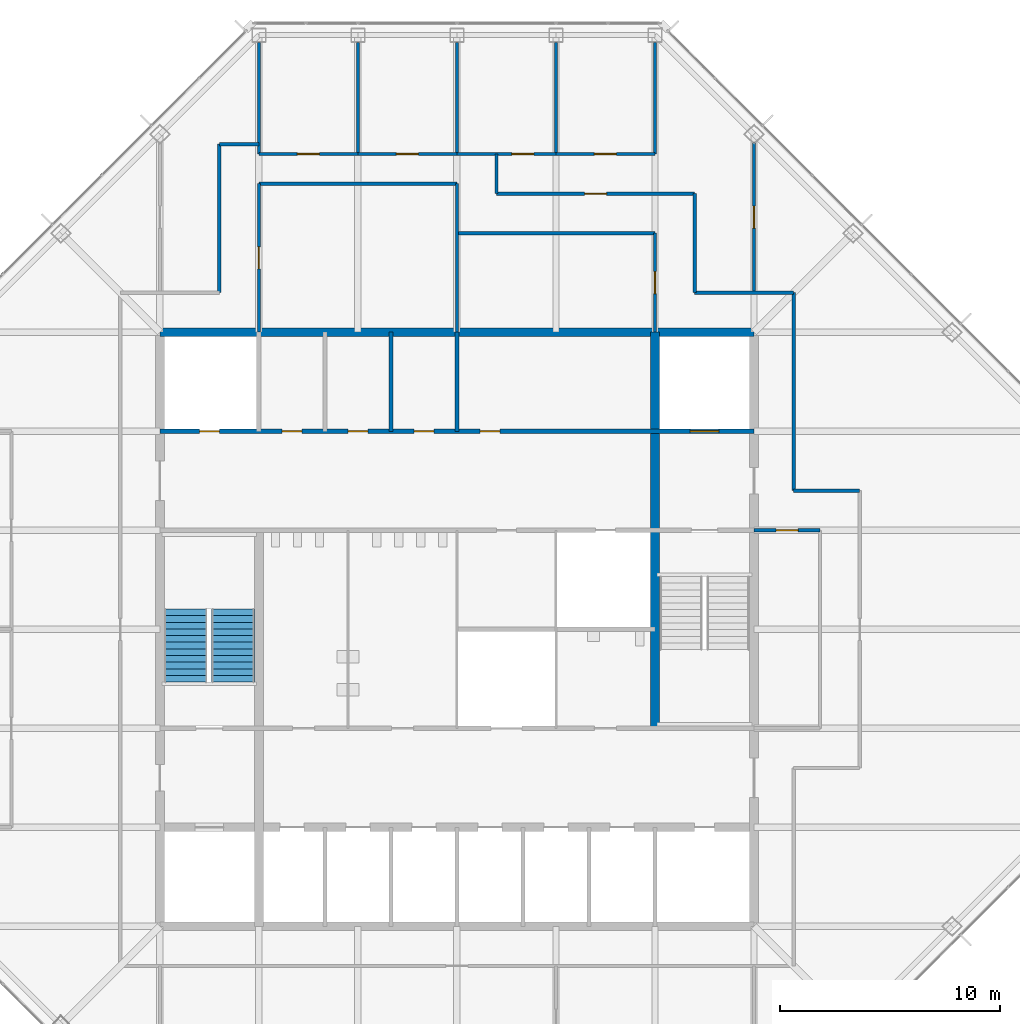
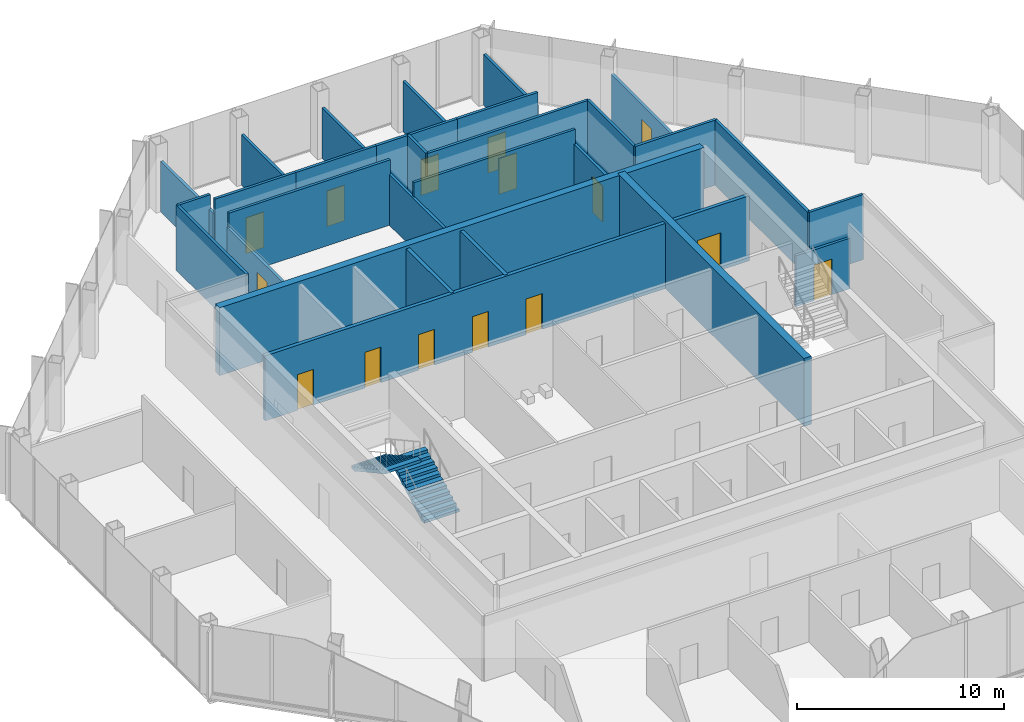
# One storey, part 11 of 14: 29 walls, 15 doors, 2 stair flights, 15 openings, 1 element without a shape of its own.
"""IFC4 building model written with IfcOpenShell, lengths in metres."""

from ifc_helpers import new_model, si_unit, direction, frame, frame_2d, origin, place, context, subcontext, project, spatial, polyline, rectangle, outline, extrude, material, layer, layer_set, type_object, element, fill, aggregate, save


model = new_model("IFC4")

# Units and contexts
model_context = context("Model", 3, precision=1e-05, world=origin(), true_north=direction((0.0, 1.0)))
body_context = subcontext(model_context, "Body", "Model", "MODEL_VIEW")
ifc_project = project(units=[si_unit("LENGTHUNIT", "METRE"), si_unit("AREAUNIT", "SQUARE_METRE"), si_unit("VOLUMEUNIT", "CUBIC_METRE"), si_unit("PLANEANGLEUNIT", "RADIAN"), si_unit("MASSUNIT", "GRAM", prefix="KILO")], contexts=[model_context])

# Site, building, storey
site_placement = place(None, origin())
site = spatial("IfcSite", under=ifc_project, at=site_placement, CompositionType="ELEMENT")
building_placement = place(site_placement, origin())
building = spatial("IfcBuilding", under=site, at=building_placement, Name="Corais Broadcast Tower", CompositionType="ELEMENT")
storey_placement = place(building_placement, frame((0.0, 0.0, 258.60009765625)))
storey = spatial("IfcBuildingStorey", under=building, at=storey_placement, Name="L60", CompositionType="ELEMENT", Elevation=258.60009765625)

# Walls
ifc_material_1 = material(Name="Concrete C50/60", Category="concrete")
ifc_layer_1 = layer(ifc_material_1, 0.39990234375)
ifc_layer_set_1 = layer_set([ifc_layer_1], Name="Concrete C50/60")
wall_type_1 = type_object("IfcWallType", Name="Core wall 400", PredefinedType="SHEAR", material=ifc_layer_set_1)
wall_1_placement = place(storey_placement, frame((40.5, 40.5, 0.0), z_axis=(0.0, 0.0, 1.0), x_axis=(-1.0, 0.0, 0.0)))
element("IfcWall", 1, at=wall_1_placement, inside=storey, type_object=wall_type_1, Name="CR400 core wall N L60", PredefinedType="SHEAR", context=body_context, shape_type="SweptSolid", body=[
    extrude(rectangle(XDim=27.0, YDim=0.39990234375, at=frame_2d((13.5, 0.0))), origin(), (0.0, 0.0, 1.0), 4.0),
])
wall_2_placement = place(storey_placement, frame((36.0, 22.5, 0.0), z_axis=(0.0, 0.0, 1.0), x_axis=(0.0, 1.0, 0.0)))
element("IfcWall", 2, at=wall_2_placement, inside=storey, type_object=wall_type_1, Name="CR400 core wall X36B L60", PredefinedType="SHEAR", context=body_context, shape_type="SweptSolid", body=[
    extrude(rectangle(XDim=18.0, YDim=0.39990234375, at=frame_2d((9.0, 0.0))), origin(), (0.0, 0.0, 1.0), 4.0),
])

# Wall, openings, doors
ifc_material_2 = material(Name="Concrete blockwork class A, grouted, four-hour", Category="masonry")
ifc_layer_2 = layer(ifc_material_2, 0.199951171875)
ifc_layer_set_2 = layer_set([ifc_layer_2], Name="Concrete blockwork class A, grouted, four-hour")
wall_type_2 = type_object("IfcWallType", Name="Emergency lift shaft wall 200", PredefinedType="SOLIDWALL", material=ifc_layer_set_2)
wall_3_placement = place(storey_placement, frame((13.5, 36.0, 0.0), z_axis=(0.0, 0.0, 1.0), x_axis=(1.0, 0.0, 0.0)))
wall_3 = element("IfcWall", 3, at=wall_3_placement, inside=storey, type_object=wall_type_2, Name="LS3 core lobby wall Y36 L60", PredefinedType="SOLIDWALL", context=body_context, shape_type="SweptSolid", body=[
    extrude(rectangle(XDim=27.0, YDim=0.199951171875, at=frame_2d((13.5, 0.0))), origin(), (0.0, 0.0, 1.0), 3.83984375),
])
opening_1_placement = place(wall_3_placement, frame((1.800048828125, 0.0, 0.0)))
opening_1 = element("IfcOpeningElement", 4, at=opening_1_placement, cuts=wall_3, Name="Opening RD1", PredefinedType="OPENING", context=body_context, shape_type="SweptSolid", body=[
    extrude(rectangle(XDim=0.89990234375, YDim=2.10009765625, at=frame_2d((0.449951171875, 1.050048828125))), frame((0.0, 0.10986328125, 0.0), z_axis=(0.0, -1.0, 0.0), x_axis=(1.0, 0.0, 0.0)), (0.0, 0.0, 1.0), 0.219970703125),
])
opening_2_placement = place(wall_3_placement, frame((5.550048828125, 0.0, 0.0)))
opening_2 = element("IfcOpeningElement", 5, at=opening_2_placement, cuts=wall_3, Name="Opening RD1", PredefinedType="OPENING", context=body_context, shape_type="SweptSolid", body=[
    extrude(rectangle(XDim=0.89990234375, YDim=2.10009765625, at=frame_2d((0.449951171875, 1.050048828125))), frame((0.0, 0.10986328125, 0.0), z_axis=(0.0, -1.0, 0.0), x_axis=(1.0, 0.0, 0.0)), (0.0, 0.0, 1.0), 0.219970703125),
])
opening_3_placement = place(wall_3_placement, frame((8.550048828125, 0.0, 0.0)))
opening_3 = element("IfcOpeningElement", 6, at=opening_3_placement, cuts=wall_3, Name="Opening RD1", PredefinedType="OPENING", context=body_context, shape_type="SweptSolid", body=[
    extrude(rectangle(XDim=0.89990234375, YDim=2.10009765625, at=frame_2d((0.449951171875, 1.050048828125))), frame((0.0, 0.10986328125, 0.0), z_axis=(0.0, -1.0, 0.0), x_axis=(1.0, 0.0, 0.0)), (0.0, 0.0, 1.0), 0.219970703125),
])
opening_4_placement = place(wall_3_placement, frame((11.550048828125, 0.0, 0.0)))
opening_4 = element("IfcOpeningElement", 7, at=opening_4_placement, cuts=wall_3, Name="Opening RD1", PredefinedType="OPENING", context=body_context, shape_type="SweptSolid", body=[
    extrude(rectangle(XDim=0.89990234375, YDim=2.10009765625, at=frame_2d((0.449951171875, 1.050048828125))), frame((0.0, 0.10986328125, 0.0), z_axis=(0.0, -1.0, 0.0), x_axis=(1.0, 0.0, 0.0)), (0.0, 0.0, 1.0), 0.219970703125),
])
opening_5_placement = place(wall_3_placement, frame((14.550048828125, 0.0, 0.0)))
opening_5 = element("IfcOpeningElement", 8, at=opening_5_placement, cuts=wall_3, Name="Opening RD1", PredefinedType="OPENING", context=body_context, shape_type="SweptSolid", body=[
    extrude(rectangle(XDim=0.89990234375, YDim=2.10009765625, at=frame_2d((0.449951171875, 1.050048828125))), frame((0.0, 0.10986328125, 0.0), z_axis=(0.0, -1.0, 0.0), x_axis=(1.0, 0.0, 0.0)), (0.0, 0.0, 1.0), 0.219970703125),
])
opening_6_placement = place(wall_3_placement, frame((24.10009765625, 0.0, 0.0)))
opening_6 = element("IfcOpeningElement", 9, at=opening_6_placement, cuts=wall_3, Name="Opening LD2", PredefinedType="OPENING", context=body_context, shape_type="SweptSolid", body=[
    extrude(rectangle(XDim=1.300048828125, YDim=2.199951171875, at=frame_2d((0.64990234375, 1.10009765625))), frame((0.0, 0.10986328125, 0.0), z_axis=(0.0, -1.0, 0.0), x_axis=(1.0, 0.0, 0.0)), (0.0, 0.0, 1.0), 0.219970703125),
])
ifc_material_3 = material(Name="Stainless steel lift door", Category="steel")
door_type_1 = type_object("IfcDoorType", Name="Lift landing door 1300x2200", OperationType="SLIDING_TO_LEFT", PredefinedType="DOOR", material=ifc_material_3)
door_1_placement = place(opening_6_placement, origin())
door_1 = element("IfcDoor", 10, at=door_1_placement, inside=storey, type_object=door_type_1, Name="LD2 FL2 landing door L60", OperationType="SLIDING_TO_LEFT", OverallHeight=2.199951171875, OverallWidth=1.300048828125, PredefinedType="DOOR", context=body_context, shape_type="SweptSolid", body=[
    extrude(rectangle(XDim=1.300048828125, YDim=2.199951171875, at=frame_2d((0.64990234375, 1.10009765625))), frame((0.0, 0.02490234375, 0.0), z_axis=(0.0, -1.0, 0.0), x_axis=(1.0, 0.0, 0.0)), (0.0, 0.0, 1.0), 0.050048828125),
])
fill(opening_6, door_1)
ifc_material_4 = material(Name="Steel fire door", Category="steel")
door_type_2 = type_object("IfcDoorType", Name="Riser door 900x2100", OperationType="SINGLE_SWING_LEFT", PredefinedType="DOOR", material=ifc_material_4)
door_2_placement = place(opening_1_placement, origin())
door_2 = element("IfcDoor", 11, at=door_2_placement, inside=storey, type_object=door_type_2, Name="RD1 riser door L60", OperationType="SINGLE_SWING_LEFT", OverallHeight=2.10009765625, OverallWidth=0.89990234375, PredefinedType="DOOR", context=body_context, shape_type="SweptSolid", body=[
    extrude(rectangle(XDim=0.89990234375, YDim=2.10009765625, at=frame_2d((0.449951171875, 1.050048828125))), frame((0.0, 0.02490234375, 0.0), z_axis=(0.0, -1.0, 0.0), x_axis=(1.0, 0.0, 0.0)), (0.0, 0.0, 1.0), 0.050048828125),
])
fill(opening_1, door_2)
door_3_placement = place(opening_2_placement, origin())
door_3 = element("IfcDoor", 12, at=door_3_placement, inside=storey, type_object=door_type_2, Name="RD1 media store door L60", OperationType="SINGLE_SWING_LEFT", OverallHeight=2.10009765625, OverallWidth=0.89990234375, PredefinedType="DOOR", context=body_context, shape_type="SweptSolid", body=[
    extrude(rectangle(XDim=0.89990234375, YDim=2.10009765625, at=frame_2d((0.449951171875, 1.050048828125))), frame((0.0, 0.02490234375, 0.0), z_axis=(0.0, -1.0, 0.0), x_axis=(1.0, 0.0, 0.0)), (0.0, 0.0, 1.0), 0.050048828125),
])
fill(opening_2, door_3)
door_4_placement = place(opening_3_placement, origin())
door_4 = element("IfcDoor", 13, at=door_4_placement, inside=storey, type_object=door_type_2, Name="RD1 tea point door L60", OperationType="SINGLE_SWING_LEFT", OverallHeight=2.10009765625, OverallWidth=0.89990234375, PredefinedType="DOOR", context=body_context, shape_type="SweptSolid", body=[
    extrude(rectangle(XDim=0.89990234375, YDim=2.10009765625, at=frame_2d((0.449951171875, 1.050048828125))), frame((0.0, 0.02490234375, 0.0), z_axis=(0.0, -1.0, 0.0), x_axis=(1.0, 0.0, 0.0)), (0.0, 0.0, 1.0), 0.050048828125),
])
fill(opening_3, door_4)
door_5_placement = place(opening_4_placement, origin())
door_5 = element("IfcDoor", 14, at=door_5_placement, inside=storey, type_object=door_type_2, Name="RD1 locker room door L60", OperationType="SINGLE_SWING_LEFT", OverallHeight=2.10009765625, OverallWidth=0.89990234375, PredefinedType="DOOR", context=body_context, shape_type="SweptSolid", body=[
    extrude(rectangle(XDim=0.89990234375, YDim=2.10009765625, at=frame_2d((0.449951171875, 1.050048828125))), frame((0.0, 0.02490234375, 0.0), z_axis=(0.0, -1.0, 0.0), x_axis=(1.0, 0.0, 0.0)), (0.0, 0.0, 1.0), 0.050048828125),
])
fill(opening_4, door_5)
door_6_placement = place(opening_5_placement, origin())
door_6 = element("IfcDoor", 15, at=door_6_placement, inside=storey, type_object=door_type_2, Name="RD1 print room door L60", OperationType="SINGLE_SWING_RIGHT", OverallHeight=2.10009765625, OverallWidth=0.89990234375, PredefinedType="DOOR", context=body_context, shape_type="SweptSolid", body=[
    extrude(rectangle(XDim=0.89990234375, YDim=2.10009765625, at=frame_2d((0.449951171875, 1.050048828125))), frame((0.0, 0.02490234375, 0.0), z_axis=(0.0, -1.0, 0.0), x_axis=(1.0, 0.0, 0.0)), (0.0, 0.0, 1.0), 0.050048828125),
])
fill(opening_5, door_6)

# Wall, opening, door
ifc_material_5 = material(Name="Gypsum board on steel studs", Category="steel")
ifc_layer_3 = layer(ifc_material_5, 0.14990234375)
ifc_layer_set_3 = layer_set([ifc_layer_3], Name="Gypsum board on steel studs")
wall_type_3 = type_object("IfcWallType", Name="Partition 150", PredefinedType="PARTITIONING", material=ifc_layer_set_3)
wall_4_placement = place(storey_placement, frame((37.800048828125, 46.800048828125, 0.0), z_axis=(0.0, 0.0, 1.0), x_axis=(-1.0, 0.0, 0.0)))
wall_4 = element("IfcWall", 16, at=wall_4_placement, inside=storey, type_object=wall_type_3, Name="IW3 corridor wall L60", PredefinedType="PARTITIONING", context=body_context, shape_type="SweptSolid", body=[
    extrude(rectangle(XDim=9.0, YDim=0.14990234375, at=frame_2d((4.5, 0.0))), origin(), (0.0, 0.0, 1.0), 3.83984375),
])
opening_7_placement = place(wall_4_placement, frame((4.0, 0.0, 0.0)))
opening_7 = element("IfcOpeningElement", 17, at=opening_7_placement, cuts=wall_4, Name="Opening D1", PredefinedType="OPENING", context=body_context, shape_type="SweptSolid", body=[
    extrude(rectangle(XDim=1.0, YDim=2.10009765625, at=frame_2d((0.5, 1.050048828125))), frame((0.0, 0.0849609375, 0.0), z_axis=(0.0, -1.0, 0.0), x_axis=(1.0, 0.0, 0.0)), (0.0, 0.0, 1.0), 0.169921875),
])
ifc_material_6 = material(Name="Timber door", Category="wood")
door_type_3 = type_object("IfcDoorType", Name="Single door 1000x2100", OperationType="SINGLE_SWING_LEFT", PredefinedType="DOOR", material=ifc_material_6)
door_7_placement = place(opening_7_placement, origin())
door_7 = element("IfcDoor", 18, at=door_7_placement, inside=storey, type_object=door_type_3, Name="D1 workplace door L60", OperationType="SINGLE_SWING_LEFT", OverallHeight=2.10009765625, OverallWidth=1.0, PredefinedType="DOOR", context=body_context, shape_type="SweptSolid", body=[
    extrude(rectangle(XDim=1.0, YDim=2.10009765625, at=frame_2d((0.5, 1.050048828125))), frame((0.0, 0.02490234375, 0.0), z_axis=(0.0, -1.0, 0.0), x_axis=(1.0, 0.0, 0.0)), (0.0, 0.0, 1.0), 0.050048828125),
])
fill(opening_7, door_7)

# Walls
wall_5_placement = place(storey_placement, frame((42.300048828125, 33.300048828125, 0.0), z_axis=(0.0, 0.0, 1.0), x_axis=(0.0, 1.0, 0.0)))
element("IfcWall", 19, at=wall_5_placement, inside=storey, type_object=wall_type_3, Name="IW3 corridor wall L60", PredefinedType="PARTITIONING", context=body_context, shape_type="SweptSolid", body=[
    extrude(rectangle(XDim=9.0, YDim=0.14990234375, at=frame_2d((4.5, 0.0))), origin(), (0.0, 0.0, 1.0), 3.83984375),
])
wall_6_placement = place(storey_placement, frame((16.199951171875, 49.050048828125, 0.0), z_axis=(0.0, 0.0, 1.0), x_axis=(0.0, -1.0, 0.0)))
element("IfcWall", 20, at=wall_6_placement, inside=storey, type_object=wall_type_3, Name="IW3 corridor wall L60", PredefinedType="PARTITIONING", context=body_context, shape_type="SweptSolid", body=[
    extrude(rectangle(XDim=6.75, YDim=0.14990234375, at=frame_2d((3.375, 0.0))), origin(), (0.0, 0.0, 1.0), 3.83984375),
])
for number, where, z_axis, x_axis, name in (
    (21, (37.800048828125, 42.300048828125, 0.0), (0.0, 0.0, 1.0), (0.0, 1.0, 0.0), "IW3 corridor wall L60"),
    (22, (42.300048828125, 42.300048828125, 0.0), (0.0, 0.0, 1.0), (-1.0, 0.0, 0.0), "IW3 corridor wall L60"),
):
    element("IfcWall", number, at=place(storey_placement, frame(where, z_axis=z_axis, x_axis=x_axis)), inside=storey, type_object=wall_type_3, Name=name, PredefinedType="PARTITIONING", context=body_context, shape_type="SweptSolid", body=[
        extrude(rectangle(XDim=4.5, YDim=0.14990234375, at=frame_2d((2.25, 0.0))), origin(), (0.0, 0.0, 1.0), 3.83984375),
    ])
wall_7_placement = place(storey_placement, frame((45.300048828125, 33.300048828125, 0.0), z_axis=(0.0, 0.0, 1.0), x_axis=(-1.0, 0.0, 0.0)))
element("IfcWall", 23, at=wall_7_placement, inside=storey, type_object=wall_type_3, Name="IW3 corridor wall L60", PredefinedType="PARTITIONING", context=body_context, shape_type="SweptSolid", body=[
    extrude(rectangle(XDim=3.0, YDim=0.14990234375, at=frame_2d((1.5, 0.0))), origin(), (0.0, 0.0, 1.0), 3.83984375),
])
for number, where, z_axis, x_axis, name in (
    (24, (18.0, 49.050048828125, 0.0), (0.0, 0.0, 1.0), (-1.0, 0.0, 0.0), "IW3 corridor wall L60"),
    (25, (28.800048828125, 46.800048828125, 0.0), (0.0, 0.0, 1.0), (0.0, 1.0, 0.0), "IW3 corridor wall L60"),
):
    element("IfcWall", number, at=place(storey_placement, frame(where, z_axis=z_axis, x_axis=x_axis)), inside=storey, type_object=wall_type_3, Name=name, PredefinedType="PARTITIONING", context=body_context, shape_type="SweptSolid", body=[
        extrude(rectangle(XDim=1.800048828125, YDim=0.14990234375, at=frame_2d((0.89990234375, 0.0))), origin(), (0.0, 0.0, 1.0), 3.83984375),
    ])
wall_8_placement = place(storey_placement, frame((27.0, 40.5, 0.0), z_axis=(0.0, 0.0, 1.0), x_axis=(0.0, 1.0, 0.0)))
element("IfcWall", 26, at=wall_8_placement, inside=storey, type_object=wall_type_3, Name="IW3 partition L60", PredefinedType="PARTITIONING", context=body_context, shape_type="SweptSolid", body=[
    extrude(rectangle(XDim=6.75, YDim=0.14990234375, at=frame_2d((3.375, 0.0))), origin(), (0.0, 0.0, 1.0), 2.989013671875),
])
wall_9_placement = place(storey_placement, frame((27.0, 47.25, 0.0), z_axis=(0.0, 0.0, 1.0), x_axis=(-1.0, 0.0, 0.0)))
element("IfcWall", 27, at=wall_9_placement, inside=storey, type_object=wall_type_3, Name="IW3 partition L60", PredefinedType="PARTITIONING", context=body_context, shape_type="SweptSolid", body=[
    extrude(rectangle(XDim=9.0, YDim=0.14990234375, at=frame_2d((4.5, 0.0))), origin(), (0.0, 0.0, 1.0), 3.83984375),
])

# Wall, opening, door
wall_10_placement = place(storey_placement, frame((18.0, 47.25, 0.0), z_axis=(0.0, 0.0, 1.0), x_axis=(0.0, -1.0, 0.0)))
wall_10 = element("IfcWall", 28, at=wall_10_placement, inside=storey, type_object=wall_type_3, Name="IW3 partition L60", PredefinedType="PARTITIONING", context=body_context, shape_type="SweptSolid", body=[
    extrude(rectangle(XDim=6.75, YDim=0.14990234375, at=frame_2d((3.375, 0.0))), origin(), (0.0, 0.0, 1.0), 2.989013671875),
])
opening_8_placement = place(wall_10_placement, frame((2.875, 0.0, 0.0)))
opening_8 = element("IfcOpeningElement", 29, at=opening_8_placement, cuts=wall_10, Name="Opening D1", PredefinedType="OPENING", context=body_context, shape_type="SweptSolid", body=[
    extrude(rectangle(XDim=1.0, YDim=2.10009765625, at=frame_2d((0.5, 1.050048828125))), frame((0.0, 0.0849609375, 0.0), z_axis=(0.0, -1.0, 0.0), x_axis=(1.0, 0.0, 0.0)), (0.0, 0.0, 1.0), 0.169921875),
])
door_8_placement = place(opening_8_placement, origin())
door_8 = element("IfcDoor", 30, at=door_8_placement, inside=storey, type_object=door_type_3, Name="D1 Test lab room door", OperationType="SINGLE_SWING_LEFT", OverallHeight=2.10009765625, OverallWidth=1.0, PredefinedType="DOOR", context=body_context, shape_type="SweptSolid", body=[
    extrude(rectangle(XDim=1.0, YDim=2.10009765625, at=frame_2d((0.5, 1.050048828125))), frame((0.0, 0.02490234375, 0.0), z_axis=(0.0, -1.0, 0.0), x_axis=(1.0, 0.0, 0.0)), (0.0, 0.0, 1.0), 0.050048828125),
])
fill(opening_8, door_8)

wall_11_placement = place(storey_placement, frame((36.0, 40.5, 0.0), z_axis=(0.0, 0.0, 1.0), x_axis=(0.0, 1.0, 0.0)))
wall_11 = element("IfcWall", 31, at=wall_11_placement, inside=storey, type_object=wall_type_3, Name="IW3 partition L60", PredefinedType="PARTITIONING", context=body_context, shape_type="SweptSolid", body=[
    extrude(rectangle(XDim=4.5, YDim=0.14990234375, at=frame_2d((2.25, 0.0))), origin(), (0.0, 0.0, 1.0), 2.989013671875),
])
opening_9_placement = place(wall_11_placement, frame((1.75, 0.0, 0.0)))
opening_9 = element("IfcOpeningElement", 32, at=opening_9_placement, cuts=wall_11, Name="Opening D1", PredefinedType="OPENING", context=body_context, shape_type="SweptSolid", body=[
    extrude(rectangle(XDim=1.0, YDim=2.10009765625, at=frame_2d((0.5, 1.050048828125))), frame((0.0, 0.0849609375, 0.0), z_axis=(0.0, -1.0, 0.0), x_axis=(1.0, 0.0, 0.0)), (0.0, 0.0, 1.0), 0.169921875),
])
door_9_placement = place(opening_9_placement, origin())
door_9 = element("IfcDoor", 33, at=door_9_placement, inside=storey, type_object=door_type_3, Name="D1 Meeting room door", OperationType="SINGLE_SWING_LEFT", OverallHeight=2.10009765625, OverallWidth=1.0, PredefinedType="DOOR", context=body_context, shape_type="SweptSolid", body=[
    extrude(rectangle(XDim=1.0, YDim=2.10009765625, at=frame_2d((0.5, 1.050048828125))), frame((0.0, 0.02490234375, 0.0), z_axis=(0.0, -1.0, 0.0), x_axis=(1.0, 0.0, 0.0)), (0.0, 0.0, 1.0), 0.050048828125),
])
fill(opening_9, door_9)

# Wall
wall_12_placement = place(storey_placement, frame((36.0, 45.0, 0.0), z_axis=(0.0, 0.0, 1.0), x_axis=(-1.0, 0.0, 0.0)))
element("IfcWall", 34, at=wall_12_placement, inside=storey, type_object=wall_type_3, Name="IW3 partition L60", PredefinedType="PARTITIONING", context=body_context, shape_type="SweptSolid", body=[
    extrude(rectangle(XDim=9.0, YDim=0.14990234375, at=frame_2d((4.5, 0.0))), origin(), (0.0, 0.0, 1.0), 3.83984375),
])

# Wall, opening, door
wall_13_placement = place(storey_placement, frame((43.5, 31.5, 0.0), z_axis=(0.0, 0.0, 1.0), x_axis=(-1.0, 0.0, 0.0)))
wall_13 = element("IfcWall", 35, at=wall_13_placement, inside=storey, type_object=wall_type_3, Name="IW3 partition L60", PredefinedType="PARTITIONING", context=body_context, shape_type="SweptSolid", body=[
    extrude(rectangle(XDim=3.0, YDim=0.14990234375, at=frame_2d((1.5, 0.0))), origin(), (0.0, 0.0, 1.0), 2.989013671875),
])
opening_10_placement = place(wall_13_placement, frame((1.0, 0.0, 0.0)))
opening_10 = element("IfcOpeningElement", 36, at=opening_10_placement, cuts=wall_13, Name="Opening D1", PredefinedType="OPENING", context=body_context, shape_type="SweptSolid", body=[
    extrude(rectangle(XDim=1.0, YDim=2.10009765625, at=frame_2d((0.5, 1.050048828125))), frame((0.0, 0.0849609375, 0.0), z_axis=(0.0, -1.0, 0.0), x_axis=(1.0, 0.0, 0.0)), (0.0, 0.0, 1.0), 0.169921875),
])
door_10_placement = place(opening_10_placement, origin())
door_10 = element("IfcDoor", 37, at=door_10_placement, inside=storey, type_object=door_type_3, Name="D1 Pantry door", OperationType="SINGLE_SWING_LEFT", OverallHeight=2.10009765625, OverallWidth=1.0, PredefinedType="DOOR", context=body_context, shape_type="SweptSolid", body=[
    extrude(rectangle(XDim=1.0, YDim=2.10009765625, at=frame_2d((0.5, 1.050048828125))), frame((0.0, 0.02490234375, 0.0), z_axis=(0.0, -1.0, 0.0), x_axis=(1.0, 0.0, 0.0)), (0.0, 0.0, 1.0), 0.050048828125),
])
fill(opening_10, door_10)

wall_14_placement = place(storey_placement, frame((18.0, 48.60009765625, 0.0), z_axis=(0.0, 0.0, 1.0), x_axis=(1.0, 0.0, 0.0)))
wall_14 = element("IfcWall", 38, at=wall_14_placement, inside=storey, type_object=wall_type_3, Name="IW3 partition L60", PredefinedType="PARTITIONING", context=body_context, shape_type="SweptSolid", body=[
    extrude(rectangle(XDim=4.5, YDim=0.14990234375, at=frame_2d((2.25, 0.0))), origin(), (0.0, 0.0, 1.0), 3.83984375),
])
opening_11_placement = place(wall_14_placement, frame((1.75, 0.0, 0.0)))
opening_11 = element("IfcOpeningElement", 39, at=opening_11_placement, cuts=wall_14, Name="Opening D1", PredefinedType="OPENING", context=body_context, shape_type="SweptSolid", body=[
    extrude(rectangle(XDim=1.0, YDim=2.10009765625, at=frame_2d((0.5, 1.050048828125))), frame((0.0, 0.0849609375, 0.0), z_axis=(0.0, -1.0, 0.0), x_axis=(1.0, 0.0, 0.0)), (0.0, 0.0, 1.0), 0.169921875),
])
door_11_placement = place(opening_11_placement, origin())
door_11 = element("IfcDoor", 40, at=door_11_placement, inside=storey, type_object=door_type_3, Name="D1 Engineer office door", OperationType="SINGLE_SWING_LEFT", OverallHeight=2.10009765625, OverallWidth=1.0, PredefinedType="DOOR", context=body_context, shape_type="SweptSolid", body=[
    extrude(rectangle(XDim=1.0, YDim=2.10009765625, at=frame_2d((0.5, 1.050048828125))), frame((0.0, 0.02490234375, 0.0), z_axis=(0.0, -1.0, 0.0), x_axis=(1.0, 0.0, 0.0)), (0.0, 0.0, 1.0), 0.050048828125),
])
fill(opening_11, door_11)

# Walls
for number, where, z_axis, x_axis, name in (
    (41, (22.5, 48.60009765625, 0.0), (0.0, 0.0, 1.0), (0.0, 1.0, 0.0), "IW3 partition L60"),
    (42, (18.0, 53.6650390625, 0.0), (0.0, 0.0, 1.0), (0.0, -1.0, 0.0), "IW3 partition L60"),
):
    element("IfcWall", number, at=place(storey_placement, frame(where, z_axis=z_axis, x_axis=x_axis)), inside=storey, type_object=wall_type_3, Name=name, PredefinedType="PARTITIONING", context=body_context, shape_type="SweptSolid", body=[
        extrude(rectangle(XDim=5.06494140625, YDim=0.14990234375, at=frame_2d((2.532470703125, 0.0))), origin(), (0.0, 0.0, 1.0), 2.989013671875),
    ])

# Wall, opening, door
wall_15_placement = place(storey_placement, frame((22.5, 48.60009765625, 0.0), z_axis=(0.0, 0.0, 1.0), x_axis=(1.0, 0.0, 0.0)))
wall_15 = element("IfcWall", 43, at=wall_15_placement, inside=storey, type_object=wall_type_3, Name="IW3 partition L60", PredefinedType="PARTITIONING", context=body_context, shape_type="SweptSolid", body=[
    extrude(rectangle(XDim=4.5, YDim=0.14990234375, at=frame_2d((2.25, 0.0))), origin(), (0.0, 0.0, 1.0), 3.83984375),
])
opening_12_placement = place(wall_15_placement, frame((1.75, 0.0, 0.0)))
opening_12 = element("IfcOpeningElement", 44, at=opening_12_placement, cuts=wall_15, Name="Opening D1", PredefinedType="OPENING", context=body_context, shape_type="SweptSolid", body=[
    extrude(rectangle(XDim=1.0, YDim=2.10009765625, at=frame_2d((0.5, 1.050048828125))), frame((0.0, 0.0849609375, 0.0), z_axis=(0.0, -1.0, 0.0), x_axis=(1.0, 0.0, 0.0)), (0.0, 0.0, 1.0), 0.169921875),
])
door_12_placement = place(opening_12_placement, origin())
door_12 = element("IfcDoor", 45, at=door_12_placement, inside=storey, type_object=door_type_3, Name="D1 Engineer office door", OperationType="SINGLE_SWING_LEFT", OverallHeight=2.10009765625, OverallWidth=1.0, PredefinedType="DOOR", context=body_context, shape_type="SweptSolid", body=[
    extrude(rectangle(XDim=1.0, YDim=2.10009765625, at=frame_2d((0.5, 1.050048828125))), frame((0.0, 0.02490234375, 0.0), z_axis=(0.0, -1.0, 0.0), x_axis=(1.0, 0.0, 0.0)), (0.0, 0.0, 1.0), 0.050048828125),
])
fill(opening_12, door_12)

# Wall
wall_16_placement = place(storey_placement, frame((27.0, 48.60009765625, 0.0), z_axis=(0.0, 0.0, 1.0), x_axis=(0.0, 1.0, 0.0)))
element("IfcWall", 46, at=wall_16_placement, inside=storey, type_object=wall_type_3, Name="IW3 partition L60", PredefinedType="PARTITIONING", context=body_context, shape_type="SweptSolid", body=[
    extrude(rectangle(XDim=5.06494140625, YDim=0.14990234375, at=frame_2d((2.532470703125, 0.0))), origin(), (0.0, 0.0, 1.0), 2.989013671875),
])

# Wall, opening, door
wall_17_placement = place(storey_placement, frame((27.0, 48.60009765625, 0.0), z_axis=(0.0, 0.0, 1.0), x_axis=(1.0, 0.0, 0.0)))
wall_17 = element("IfcWall", 47, at=wall_17_placement, inside=storey, type_object=wall_type_3, Name="IW3 partition L60", PredefinedType="PARTITIONING", context=body_context, shape_type="SweptSolid", body=[
    extrude(rectangle(XDim=4.5, YDim=0.14990234375, at=frame_2d((2.25, 0.0))), origin(), (0.0, 0.0, 1.0), 3.83984375),
])
opening_13_placement = place(wall_17_placement, frame((2.5, 0.0, 0.0)))
opening_13 = element("IfcOpeningElement", 48, at=opening_13_placement, cuts=wall_17, Name="Opening D1", PredefinedType="OPENING", context=body_context, shape_type="SweptSolid", body=[
    extrude(rectangle(XDim=1.0, YDim=2.10009765625, at=frame_2d((0.5, 1.050048828125))), frame((0.0, 0.0849609375, 0.0), z_axis=(0.0, -1.0, 0.0), x_axis=(1.0, 0.0, 0.0)), (0.0, 0.0, 1.0), 0.169921875),
])
door_13_placement = place(opening_13_placement, origin())
door_13 = element("IfcDoor", 49, at=door_13_placement, inside=storey, type_object=door_type_3, Name="D1 Engineer office door", OperationType="SINGLE_SWING_RIGHT", OverallHeight=2.10009765625, OverallWidth=1.0, PredefinedType="DOOR", context=body_context, shape_type="SweptSolid", body=[
    extrude(rectangle(XDim=1.0, YDim=2.10009765625, at=frame_2d((0.5, 1.050048828125))), frame((0.0, 0.02490234375, 0.0), z_axis=(0.0, -1.0, 0.0), x_axis=(1.0, 0.0, 0.0)), (0.0, 0.0, 1.0), 0.050048828125),
])
fill(opening_13, door_13)

# Wall
wall_18_placement = place(storey_placement, frame((31.5, 48.60009765625, 0.0), z_axis=(0.0, 0.0, 1.0), x_axis=(0.0, 1.0, 0.0)))
element("IfcWall", 50, at=wall_18_placement, inside=storey, type_object=wall_type_3, Name="IW3 partition L60", PredefinedType="PARTITIONING", context=body_context, shape_type="SweptSolid", body=[
    extrude(rectangle(XDim=5.06494140625, YDim=0.14990234375, at=frame_2d((2.532470703125, 0.0))), origin(), (0.0, 0.0, 1.0), 2.989013671875),
])

# Wall, opening, door
wall_19_placement = place(storey_placement, frame((31.5, 48.60009765625, 0.0), z_axis=(0.0, 0.0, 1.0), x_axis=(1.0, 0.0, 0.0)))
wall_19 = element("IfcWall", 51, at=wall_19_placement, inside=storey, type_object=wall_type_3, Name="IW3 partition L60", PredefinedType="PARTITIONING", context=body_context, shape_type="SweptSolid", body=[
    extrude(rectangle(XDim=4.5, YDim=0.14990234375, at=frame_2d((2.25, 0.0))), origin(), (0.0, 0.0, 1.0), 3.83984375),
])
opening_14_placement = place(wall_19_placement, frame((1.75, 0.0, 0.0)))
opening_14 = element("IfcOpeningElement", 52, at=opening_14_placement, cuts=wall_19, Name="Opening D1", PredefinedType="OPENING", context=body_context, shape_type="SweptSolid", body=[
    extrude(rectangle(XDim=1.0, YDim=2.10009765625, at=frame_2d((0.5, 1.050048828125))), frame((0.0, 0.0849609375, 0.0), z_axis=(0.0, -1.0, 0.0), x_axis=(1.0, 0.0, 0.0)), (0.0, 0.0, 1.0), 0.169921875),
])
door_14_placement = place(opening_14_placement, origin())
door_14 = element("IfcDoor", 53, at=door_14_placement, inside=storey, type_object=door_type_3, Name="D1 Engineer office door", OperationType="SINGLE_SWING_LEFT", OverallHeight=2.10009765625, OverallWidth=1.0, PredefinedType="DOOR", context=body_context, shape_type="SweptSolid", body=[
    extrude(rectangle(XDim=1.0, YDim=2.10009765625, at=frame_2d((0.5, 1.050048828125))), frame((0.0, 0.02490234375, 0.0), z_axis=(0.0, -1.0, 0.0), x_axis=(1.0, 0.0, 0.0)), (0.0, 0.0, 1.0), 0.050048828125),
])
fill(opening_14, door_14)

# Wall
wall_20_placement = place(storey_placement, frame((36.0, 48.60009765625, 0.0), z_axis=(0.0, 0.0, 1.0), x_axis=(0.0, 1.0, 0.0)))
element("IfcWall", 54, at=wall_20_placement, inside=storey, type_object=wall_type_3, Name="IW3 partition L60", PredefinedType="PARTITIONING", context=body_context, shape_type="SweptSolid", body=[
    extrude(rectangle(XDim=5.06494140625, YDim=0.14990234375, at=frame_2d((2.532470703125, 0.0))), origin(), (0.0, 0.0, 1.0), 2.989013671875),
])

# Wall, opening, door
wall_21_placement = place(storey_placement, frame((40.5, 49.155029296875, 0.0), z_axis=(0.0, 0.0, 1.0), x_axis=(0.0, -1.0, 0.0)))
wall_21 = element("IfcWall", 55, at=wall_21_placement, inside=storey, type_object=wall_type_3, Name="IW3 partition L60", PredefinedType="PARTITIONING", context=body_context, shape_type="SweptSolid", body=[
    extrude(rectangle(XDim=6.85498046875, YDim=0.14990234375, at=frame_2d((3.427490234375, 0.0))), origin(), (0.0, 0.0, 1.0), 2.989013671875),
])
opening_15_placement = place(wall_21_placement, frame((2.927490234375, 0.0, 0.0)))
opening_15 = element("IfcOpeningElement", 56, at=opening_15_placement, cuts=wall_21, Name="Opening D1", PredefinedType="OPENING", context=body_context, shape_type="SweptSolid", body=[
    extrude(rectangle(XDim=1.0, YDim=2.10009765625, at=frame_2d((0.5, 1.050048828125))), frame((0.0, 0.0849609375, 0.0), z_axis=(0.0, -1.0, 0.0), x_axis=(1.0, 0.0, 0.0)), (0.0, 0.0, 1.0), 0.169921875),
])
door_15_placement = place(opening_15_placement, origin())
door_15 = element("IfcDoor", 57, at=door_15_placement, inside=storey, type_object=door_type_3, Name="D1 team room door L60", OperationType="SINGLE_SWING_LEFT", OverallHeight=2.10009765625, OverallWidth=1.0, PredefinedType="DOOR", context=body_context, shape_type="SweptSolid", body=[
    extrude(rectangle(XDim=1.0, YDim=2.10009765625, at=frame_2d((0.5, 1.050048828125))), frame((0.0, 0.02490234375, 0.0), z_axis=(0.0, -1.0, 0.0), x_axis=(1.0, 0.0, 0.0)), (0.0, 0.0, 1.0), 0.050048828125),
])
fill(opening_15, door_15)

# Walls
ifc_material_7 = material(Name="Concrete blockwork class A, grouted, two-hour", Category="masonry")
ifc_layer_4 = layer(ifc_material_7, 0.199951171875)
ifc_layer_set_4 = layer_set([ifc_layer_4], Name="Concrete blockwork class A, grouted, two-hour")
wall_type_4 = type_object("IfcWallType", Name="Shaft wall 200", PredefinedType="PARTITIONING", material=ifc_layer_set_4)
for number, where, z_axis, x_axis, name in (
    (58, (24.0, 36.0, 0.0), (0.0, 0.0, 1.0), (0.0, 1.0, 0.0), "IW1 shaft wall L60"),
    (59, (27.0, 36.0, 0.0), (0.0, 0.0, 1.0), (0.0, 1.0, 0.0), "IW1 shaft wall L60"),
):
    element("IfcWall", number, at=place(storey_placement, frame(where, z_axis=z_axis, x_axis=x_axis)), inside=storey, type_object=wall_type_4, Name=name, PredefinedType="PARTITIONING", context=body_context, shape_type="SweptSolid", body=[
        extrude(rectangle(XDim=4.5, YDim=0.199951171875, at=frame_2d((2.25, 0.0))), origin(), (0.0, 0.0, 1.0), 3.83984375),
    ])

# Stair, stair flights
ifc_material_8 = material(Name="Concrete C30/37", Category="concrete")
stair_type = type_object("IfcStairType", Name="Half-turn stair 4000", PredefinedType="HALF_TURN_STAIR", material=ifc_material_8)
stair_placement = place(storey_placement, origin())
stair = element("IfcStair", 60, at=stair_placement, inside=storey, type_object=stair_type, Name="Stair A L60", PredefinedType="HALF_TURN_STAIR")
ifc_material_9 = material(Name="Concrete C30/37", Category="concrete")
stair_flight_type = type_object("IfcStairFlightType", Name="Stair flight 4000", PredefinedType="STRAIGHT", material=ifc_material_9)
stair_flight_1_placement = place(storey_placement, frame((16.824951171875, 24.60009765625, 0.0), z_axis=(0.0, 0.0, 1.0), x_axis=(0.0, 1.0, 0.0)))
stair_flight_1 = element("IfcStairFlight", 61, at=stair_flight_1_placement, type_object=stair_flight_type, Name="STA flight 1", NumberOfRisers=12, NumberOfTreads=11, PredefinedType="STRAIGHT", RiserHeight=0.166666667, TreadLength=0.302, context=body_context, shape_type="SweptSolid", body=[
    extrude(outline(polyline([(0.0, 0.0), (0.0, 0.166748046875), (0.302001953125, 0.166748046875), (0.302001953125, 0.333251953125), (0.60400390625, 0.333251953125), (0.60400390625, 0.5), (0.906005859375, 0.5), (0.906005859375, 0.666748046875), (1.2080078125, 0.666748046875), (1.2080078125, 0.833251953125), (1.510009765625, 0.833251953125), (1.510009765625, 1.0), (1.81201171875, 1.0), (1.81201171875, 1.166748046875), (2.114013671875, 1.166748046875), (2.114013671875, 1.333251953125), (2.416015625, 1.333251953125), (2.416015625, 1.5), (2.718017578125, 1.5), (2.718017578125, 1.666748046875), (3.02001953125, 1.666748046875), (3.02001953125, 1.833251953125), (3.322021484375, 1.833251953125), (3.322021484375, 2.0), (3.322021484375, 1.662109375), (0.310302734375, 0.0), (0.0, 0.0)])), frame((0.0, 0.97509765625, 0.0), z_axis=(0.0, -1.0, 0.0), x_axis=(1.0, 0.0, 0.0)), (0.0, 0.0, 1.0), 1.949951171875),
])
stair_flight_2_placement = place(storey_placement, frame((14.675048828125, 27.922119140625, 2.0), z_axis=(0.0, 0.0, 1.0), x_axis=(0.0, -1.0, 0.0)))
stair_flight_2 = element("IfcStairFlight", 62, at=stair_flight_2_placement, type_object=stair_flight_type, Name="STA flight 2", NumberOfRisers=12, NumberOfTreads=11, PredefinedType="STRAIGHT", RiserHeight=0.166666667, TreadLength=0.302, context=body_context, shape_type="SweptSolid", body=[
    extrude(outline(polyline([(0.0, 0.0), (0.0, 0.166748046875), (0.302001953125, 0.166748046875), (0.302001953125, 0.333251953125), (0.60400390625, 0.333251953125), (0.60400390625, 0.5), (0.906005859375, 0.5), (0.906005859375, 0.666748046875), (1.2080078125, 0.666748046875), (1.2080078125, 0.833251953125), (1.510009765625, 0.833251953125), (1.510009765625, 1.0), (1.81201171875, 1.0), (1.81201171875, 1.166748046875), (2.114013671875, 1.166748046875), (2.114013671875, 1.333251953125), (2.416015625, 1.333251953125), (2.416015625, 1.5), (2.718017578125, 1.5), (2.718017578125, 1.666748046875), (3.02001953125, 1.666748046875), (3.02001953125, 1.833251953125), (3.322021484375, 1.833251953125), (3.322021484375, 2.0), (3.322021484375, 1.662109375), (0.310302734375, 0.0), (0.0, 0.0)])), frame((0.0, 0.97509765625, 0.0), z_axis=(0.0, -1.0, 0.0), x_axis=(1.0, 0.0, 0.0)), (0.0, 0.0, 1.0), 1.949951171875),
])
aggregate(stair, [stair_flight_1, stair_flight_2])

save(model, "model.ifc")
